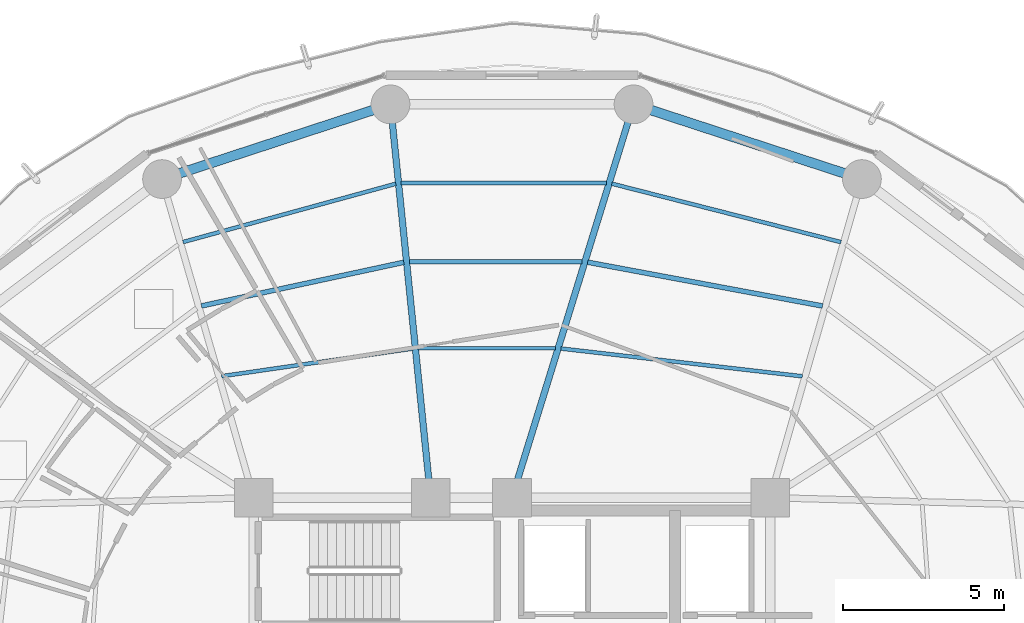
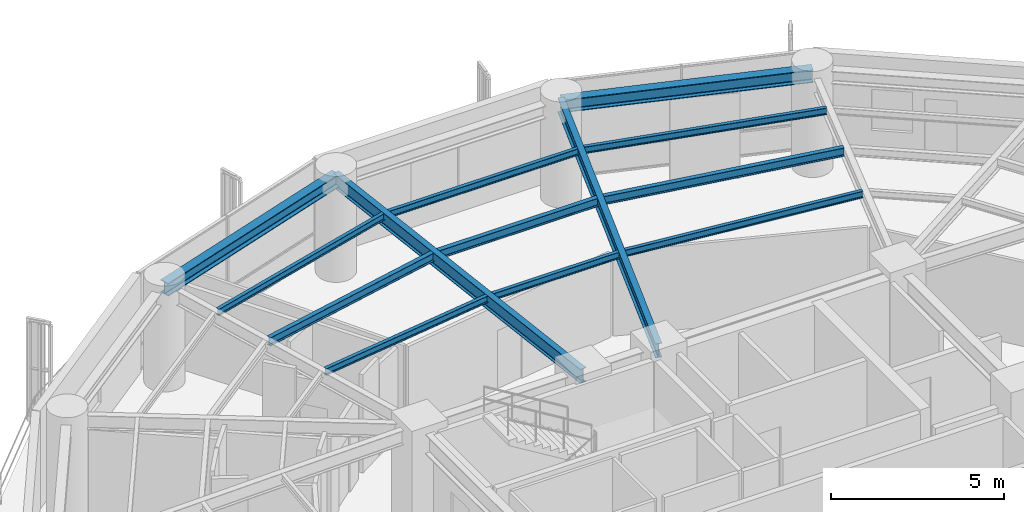
# One storey, part 17 of 27: 13 beams.
"""IFC4 building model written with IfcOpenShell, lengths in metres."""

import ifcopenshell
import ifcopenshell.guid

model = None  # the IFC model being written
_history = None  # IfcOwnerHistory: only IFC2X3 demands one
_inside = {}  # id of a spatial element -> (the spatial element, [elements in it])
_under = {}  # id of a project, library or spatial element -> (it, [spatial elements below it])
_declared = {}  # id of a project -> (the project, [libraries it declares])
_typed = {}  # id of a type object -> (the type object, [elements of that type])
_made_of = {}  # id of a material, layer set ... -> (it, [elements and type objects made of it])


def new_model(schema):
    """Start an empty IFC model of exactly this schema.

    Asked for "IFC4X3", IfcOpenShell would pick the latest addendum, in which some entities
    have other attributes; the version numbers below select the first issue.
    IFC2X3 requires an IfcOwnerHistory on every rooted entity: one is made here for all.
    """
    global model, _history
    if schema == "IFC4X3":
        model = ifcopenshell.file(schema_version=(4, 3, 0, 0))
    else:
        model = ifcopenshell.file(schema=schema)
    _inside.clear()
    _under.clear()
    _declared.clear()
    _typed.clear()
    _made_of.clear()
    _history = None
    if model.schema == "IFC2X3":
        org = make("IfcOrganization", Name="unknown")
        user = make(
            "IfcPersonAndOrganization",
            ThePerson=make("IfcPerson", FamilyName="unknown"),
            TheOrganization=org,
        )
        app = make(
            "IfcApplication",
            ApplicationDeveloper=org,
            Version="unknown",
            ApplicationFullName="unknown",
            ApplicationIdentifier="unknown",
        )
        _history = make(
            "IfcOwnerHistory",
            OwningUser=user,
            OwningApplication=app,
            ChangeAction="ADDED",
            CreationDate=0,
        )
    return model


def make(cls, **values):
    """One entity of the class cls with the attributes given. An attribute that is None is left unset."""
    return model.create_entity(
        cls, **{name: value for name, value in values.items() if value is not None}
    )


def rooted(cls, **values):
    """An entity with a GlobalId (a new one), such as an element, a storey or a relation."""
    return make(cls, GlobalId=ifcopenshell.guid.new(), OwnerHistory=_history, **values)


def si_unit(unit_type, name, prefix=None):
    """IfcSIUnit, for example si_unit("LENGTHUNIT", "METRE", prefix="MILLI")."""
    return make("IfcSIUnit", UnitType=unit_type, Prefix=prefix, Name=name)


def assignment(units):
    """IfcUnitAssignment: the units of a project."""
    return None if units is None else make("IfcUnitAssignment", Units=units)


def point(xyz):
    """IfcCartesianPoint."""
    return None if xyz is None else make("IfcCartesianPoint", Coordinates=xyz)


def direction(xyz):
    """IfcDirection."""
    return None if xyz is None else make("IfcDirection", DirectionRatios=xyz)


def frame(location, z_axis=None, x_axis=None):
    """IfcAxis2Placement3D, a coordinate frame: its origin and axes. An axis left out is left unset."""
    return make(
        "IfcAxis2Placement3D",
        Location=point(location),
        Axis=direction(z_axis),
        RefDirection=direction(x_axis),
    )


def frame_2d(location, x_axis=None):
    """IfcAxis2Placement2D, a coordinate frame in the plane: its origin and x axis."""
    return make(
        "IfcAxis2Placement2D", Location=point(location), RefDirection=direction(x_axis)
    )


def origin():
    """The frame at (0, 0, 0) with its axes left unset."""
    return frame((0.0, 0.0, 0.0))


def origin_2d():
    """The frame at (0, 0) in the plane with its x axis left unset."""
    return frame_2d((0.0, 0.0))


def place(relative_to, where):
    """IfcLocalPlacement: puts the frame where relative to a parent placement (None: the world)."""
    return make(
        "IfcLocalPlacement", PlacementRelTo=relative_to, RelativePlacement=where
    )


def context(
    kind, dimensions, precision=None, world=None, true_north=None, identifier=None
):
    """IfcGeometricRepresentationContext, for example the 3D "Model" context."""
    return make(
        "IfcGeometricRepresentationContext",
        ContextIdentifier=identifier,
        ContextType=kind,
        CoordinateSpaceDimension=dimensions,
        Precision=precision,
        WorldCoordinateSystem=world,
        TrueNorth=true_north,
    )


def subcontext(parent, identifier, kind, view, scale=None):
    """IfcGeometricRepresentationSubContext, for example "Body" below "Model"."""
    return make(
        "IfcGeometricRepresentationSubContext",
        ContextIdentifier=identifier,
        ContextType=kind,
        ParentContext=parent,
        TargetScale=scale,
        TargetView=view,
    )


def project(units=None, contexts=None):
    """IfcProject with its units and contexts."""
    return rooted(
        "IfcProject",
        Name="project",
        RepresentationContexts=contexts,
        UnitsInContext=assignment(units),
    )


def spatial(cls, under=None, at=None, **own):
    """A site, building, storey or space (cls), placed at a placement, below another one or the project."""
    s = rooted(cls, ObjectPlacement=at, **own)
    if under is not None:
        _under.setdefault(under.id(), (under, []))[1].append(s)
    return s


def profile(cls, at=None, kind="AREA", **sizes):
    """A parametric profile (cls). Its sizes go by their IFC names, for example OverallWidth=200.0."""
    return make(cls, ProfileType=kind, Position=at, **sizes)


def i_section(**sizes):
    """IfcIShapeProfileDef."""
    return profile("IfcIShapeProfileDef", **sizes)


def extrude(swept, where, along, depth):
    """IfcExtrudedAreaSolid: the profile swept, set in the frame where, extruded along a direction by depth."""
    return make(
        "IfcExtrudedAreaSolid",
        SweptArea=swept,
        Position=where,
        ExtrudedDirection=direction(along),
        Depth=depth,
    )


def shape(context_of_items, identifier, shape_type, items):
    """IfcShapeRepresentation: the items that make up one representation, for example the "Body"."""
    return make(
        "IfcShapeRepresentation",
        ContextOfItems=context_of_items,
        RepresentationIdentifier=identifier,
        RepresentationType=shape_type,
        Items=items,
    )


def material(Name=None, Category=None):
    """IfcMaterial."""
    return make("IfcMaterial", Name=Name, Category=Category)


def material_profile(
    of_material, cross_section, Name=None, Category=None, Priority=None
):
    """IfcMaterialProfile: a cross section and its material."""
    return make(
        "IfcMaterialProfile",
        Name=Name,
        Material=of_material,
        Profile=cross_section,
        Priority=Priority,
        Category=Category,
    )


def profile_set(profiles, Name=None, composite=None):
    """IfcMaterialProfileSet."""
    return make(
        "IfcMaterialProfileSet",
        Name=Name,
        MaterialProfiles=profiles,
        CompositeProfile=composite,
    )


def made_of(thing, what):
    """Note that an element or type object is made of a material, layer set ...; save() writes the relation."""
    if what is not None:
        _made_of.setdefault(what.id(), (what, []))[1].append(thing)
    return thing


def type_object(cls, material=None, **own):
    """A type object (cls), such as IfcWallType, which elements share."""
    return made_of(rooted(cls, **own), material)


def element(
    cls,
    number,
    at=None,
    inside=None,
    cuts=None,
    type_object=None,
    material=None,
    context=None,
    identifier="Body",
    shape_type=None,
    held_by="IfcProductDefinitionShape",
    body=None,
    shapes=None,
    **own,
):
    """One element of the class cls, such as IfcWall. Its Tag is "e" and its number.

    at: its placement. inside: the storey or other place that contains it. cuts: it is an
    opening in that element (IfcRelVoidsElement). A single representation is given by context,
    identifier, shape_type and body (its items); several are given by shapes. held_by: the class
    of the entity that holds the representations. save() writes the other relations.
    """
    e = rooted(cls, Tag="e%d" % number, ObjectPlacement=at, **own)
    if body is not None:
        shapes = [shape(context, identifier, shape_type, body)]
    if shapes is not None:
        e.Representation = make(held_by, Representations=shapes)
    if inside is not None:
        _inside.setdefault(inside.id(), (inside, []))[1].append(e)
    if cuts is not None:
        rooted(
            "IfcRelVoidsElement", RelatingBuildingElement=cuts, RelatedOpeningElement=e
        )
    if type_object is not None:
        _typed.setdefault(type_object.id(), (type_object, []))[1].append(e)
    return made_of(e, material)


def aggregate(whole, parts):
    """IfcRelAggregates: a whole, such as a stair, and the parts it consists of."""
    return rooted("IfcRelAggregates", RelatingObject=whole, RelatedObjects=parts)


def save(model, path):
    """Write the relations noted so far, then the file.

    IfcRelAggregates (storeys below a building ...), IfcRelContainedInSpatialStructure (elements
    in a storey), IfcRelDefinesByType, IfcRelAssociatesMaterial and IfcRelDeclares: one each for
    every whole, place, type object, material and project.
    """
    for whole, parts in _under.values():
        aggregate(whole, parts)
    for where, things in _inside.values():
        rooted(
            "IfcRelContainedInSpatialStructure",
            RelatedElements=things,
            RelatingStructure=where,
        )
    for kind, things in _typed.values():
        rooted("IfcRelDefinesByType", RelatedObjects=things, RelatingType=kind)
    for what, things in _made_of.values():
        rooted("IfcRelAssociatesMaterial", RelatedObjects=things, RelatingMaterial=what)
    for by, libraries in _declared.values():
        rooted("IfcRelDeclares", RelatingContext=by, RelatedDefinitions=libraries)
    model.write(path)


model = new_model("IFC4")

# Units and contexts
model_context = context("Model", 3, precision=1e-05, world=origin(), true_north=direction((0.0, 1.0)))
body_context = subcontext(model_context, "Body", "Model", "MODEL_VIEW")
ifc_project = project(units=[si_unit("LENGTHUNIT", "METRE"), si_unit("AREAUNIT", "SQUARE_METRE"), si_unit("VOLUMEUNIT", "CUBIC_METRE"), si_unit("PLANEANGLEUNIT", "RADIAN"), si_unit("MASSUNIT", "GRAM", prefix="KILO")], contexts=[model_context])

# Site, building, storey
site_placement = place(None, origin())
site = spatial("IfcSite", under=ifc_project, at=site_placement, CompositionType="ELEMENT")
building_placement = place(site_placement, origin())
building = spatial("IfcBuilding", under=site, at=building_placement, Name="Kelanora Arch Commons", CompositionType="ELEMENT")
storey_placement = place(building_placement, frame((0.0, 0.0, 146.85009765625)))
storey = spatial("IfcBuildingStorey", under=building, at=storey_placement, Name="L37", CompositionType="ELEMENT", Elevation=146.85009765625)

# Beams
ifc_material = material(Name="Steel S355", Category="steel")
ifc_material_profile_1 = material_profile(ifc_material, i_section(OverallWidth=0.14990234375, OverallDepth=0.300048828125, WebThickness=0.007080078125, FlangeThickness=0.0107421875, FilletRadius=0.014892578125, at=origin_2d()), Name="IPE300")
ifc_profile_set_1 = profile_set([ifc_material_profile_1], Name="Steel S355")
beam_type_1 = type_object("IfcBeamType", Name="BM-JST-01", PredefinedType="JOIST", material=ifc_profile_set_1)
beam_1_placement = place(storey_placement, frame((83.620361328125, 70.937744140625, 3.33984375), z_axis=(-0.983054256126, 0.183314837134, 0.0), x_axis=(-0.183314837134, -0.983054256126, 0.0)))
element("IfcBeam", 1, at=beam_1_placement, inside=storey, type_object=beam_type_1, Name="Secondary Chord Joist BJB-06 L37", PredefinedType="JOIST", context=body_context, shape_type="SweptSolid", body=[
    extrude(i_section(OverallWidth=0.14990234375, OverallDepth=0.300048828125, WebThickness=0.007080078125, FlangeThickness=0.0107421875, FilletRadius=0.014892578125, at=origin_2d()), origin(), (0.0, 0.0, 1.0), 7.403564453125),
])
beam_2_placement = place(storey_placement, frame((76.173828125, 72.310546875, 3.33984375), z_axis=(-1.0, 0.0, 0.0), x_axis=(0.0, -1.0, 0.0)))
element("IfcBeam", 2, at=beam_2_placement, inside=storey, type_object=beam_type_1, Name="Secondary Chord Joist BJB-08 L37", PredefinedType="JOIST", context=body_context, shape_type="SweptSolid", body=[
    extrude(i_section(OverallWidth=0.14990234375, OverallDepth=0.300048828125, WebThickness=0.007080078125, FlangeThickness=0.0107421875, FilletRadius=0.014892578125, at=origin_2d()), origin(), (0.0, 0.0, 1.0), 5.355712890625),
])
beam_3_placement = place(storey_placement, frame((70.650146484375, 72.29248046875, 3.33984375), z_axis=(-0.977521966827, -0.210833594029, 0.0), x_axis=(0.210833594029, -0.977521966827, 0.0)))
element("IfcBeam", 3, at=beam_3_placement, inside=storey, type_object=beam_type_1, Name="Secondary Chord Joist BJB-10 L37", PredefinedType="JOIST", context=body_context, shape_type="SweptSolid", body=[
    extrude(i_section(OverallWidth=0.14990234375, OverallDepth=0.300048828125, WebThickness=0.007080078125, FlangeThickness=0.0107421875, FilletRadius=0.014892578125, at=origin_2d()), origin(), (0.0, 0.0, 1.0), 6.415283203125),
])
ifc_material_profile_2 = material_profile(ifc_material, i_section(OverallWidth=0.1201171875, OverallDepth=0.239990234375, WebThickness=0.006103515625, FlangeThickness=0.009765625, FilletRadius=0.014892578125, at=origin_2d()), Name="IPE240")
ifc_profile_set_2 = profile_set([ifc_material_profile_2], Name="Steel S355")
beam_type_2 = type_object("IfcBeamType", Name="BM-JST-02", PredefinedType="JOIST", material=ifc_profile_set_2)
beam_4_placement = place(storey_placement, frame((82.994873046875, 68.760498046875, 3.369873046875), z_axis=(-0.993457414184, 0.114203179475, 0.0), x_axis=(-0.114203179475, -0.993457414184, 0.0)))
element("IfcBeam", 4, at=beam_4_placement, inside=storey, type_object=beam_type_2, Name="Secondary Chord Joist BJA-06 L37", PredefinedType="JOIST", context=body_context, shape_type="SweptSolid", body=[
    extrude(i_section(OverallWidth=0.1201171875, OverallDepth=0.239990234375, WebThickness=0.006103515625, FlangeThickness=0.009765625, FilletRadius=0.014892578125, at=origin_2d()), origin(), (0.0, 0.0, 1.0), 7.529296875),
])
beam_5_placement = place(storey_placement, frame((84.189697265625, 72.917236328125, 3.369873046875), z_axis=(-0.96900232943, 0.247051584815, 0.0), x_axis=(-0.247051584815, -0.96900232943, 0.0)))
element("IfcBeam", 5, at=beam_5_placement, inside=storey, type_object=beam_type_2, Name="Secondary Chord Joist BJC-06 L37", PredefinedType="JOIST", context=body_context, shape_type="SweptSolid", body=[
    extrude(i_section(OverallWidth=0.1201171875, OverallDepth=0.239990234375, WebThickness=0.006103515625, FlangeThickness=0.009765625, FilletRadius=0.014892578125, at=origin_2d()), origin(), (0.0, 0.0, 1.0), 7.32275390625),
])
beam_6_placement = place(storey_placement, frame((75.345703125, 69.6298828125, 3.369873046875), z_axis=(-1.0, 0.0, 0.0), x_axis=(0.0, -1.0, 0.0)))
element("IfcBeam", 6, at=beam_6_placement, inside=storey, type_object=beam_type_2, Name="Secondary Chord Joist BJA-08 L37", PredefinedType="JOIST", context=body_context, shape_type="SweptSolid", body=[
    extrude(i_section(OverallWidth=0.1201171875, OverallDepth=0.239990234375, WebThickness=0.006103515625, FlangeThickness=0.009765625, FilletRadius=0.014892578125, at=origin_2d()), origin(), (0.0, 0.0, 1.0), 4.253662109375),
])
beam_7_placement = place(storey_placement, frame((76.9267578125, 74.747314453125, 3.369873046875), z_axis=(-1.0, 0.0, 0.0), x_axis=(0.0, -1.0, 0.0)))
element("IfcBeam", 7, at=beam_7_placement, inside=storey, type_object=beam_type_2, Name="Secondary Chord Joist BJC-08 L37", PredefinedType="JOIST", context=body_context, shape_type="SweptSolid", body=[
    extrude(i_section(OverallWidth=0.1201171875, OverallDepth=0.239990234375, WebThickness=0.006103515625, FlangeThickness=0.009765625, FilletRadius=0.014892578125, at=origin_2d()), origin(), (0.0, 0.0, 1.0), 6.357666015625),
])
beam_8_placement = place(storey_placement, frame((70.9228515625, 69.617919921875, 3.369873046875), z_axis=(-0.989718726051, -0.143027421508, 0.0), x_axis=(0.143027421508, -0.989718726051, 0.0)))
element("IfcBeam", 8, at=beam_8_placement, inside=storey, type_object=beam_type_2, Name="Secondary Chord Joist BJA-10 L37", PredefinedType="JOIST", context=body_context, shape_type="SweptSolid", body=[
    extrude(i_section(OverallWidth=0.1201171875, OverallDepth=0.239990234375, WebThickness=0.006103515625, FlangeThickness=0.009765625, FilletRadius=0.014892578125, at=origin_2d()), origin(), (0.0, 0.0, 1.0), 5.9794921875),
])
beam_9_placement = place(storey_placement, frame((70.40234375, 74.724853515625, 3.369873046875), z_axis=(-0.964456541131, -0.264241518824, 0.0), x_axis=(0.264241518824, -0.964456541131, 0.0)))
element("IfcBeam", 9, at=beam_9_placement, inside=storey, type_object=beam_type_2, Name="Secondary Chord Joist BJC-10 L37", PredefinedType="JOIST", context=body_context, shape_type="SweptSolid", body=[
    extrude(i_section(OverallWidth=0.1201171875, OverallDepth=0.239990234375, WebThickness=0.006103515625, FlangeThickness=0.009765625, FilletRadius=0.014892578125, at=origin_2d()), origin(), (0.0, 0.0, 1.0), 6.835205078125),
])
ifc_material_profile_3 = material_profile(ifc_material, i_section(OverallWidth=0.199951171875, OverallDepth=0.5, WebThickness=0.01025390625, FlangeThickness=0.01611328125, FilletRadius=0.02099609375, at=origin_2d()), Name="IPE500")
ifc_profile_set_3 = profile_set([ifc_material_profile_3], Name="Steel S355")
beam_type_3 = type_object("IfcBeamType", Name="BM-RAD-Z3", PredefinedType="BEAM", material=ifc_profile_set_3)
beam_10_placement = place(storey_placement, frame((74.0, 65.0, 3.239990234375), z_axis=(0.295210315095, 0.955432294755, 0.0), x_axis=(-0.955432294755, 0.295210315095, 0.0)))
element("IfcBeam", 10, at=beam_10_placement, inside=storey, type_object=beam_type_3, Name="Radial Floor Girder BR-08 L37", PredefinedType="BEAM", context=body_context, shape_type="SweptSolid", body=[
    extrude(i_section(OverallWidth=0.199951171875, OverallDepth=0.5, WebThickness=0.01025390625, FlangeThickness=0.01611328125, FilletRadius=0.02099609375, at=origin_2d()), origin(), (0.0, 0.0, 1.0), 12.75244140625),
])
beam_11_placement = place(storey_placement, frame((71.47998046875, 65.0, 3.239990234375), z_axis=(-0.101623200789, 0.994822961668, 0.0), x_axis=(-0.994822961668, -0.101623200789, 0.0)))
element("IfcBeam", 11, at=beam_11_placement, inside=storey, type_object=beam_type_3, Name="Radial Floor Girder BR-10 L37", PredefinedType="BEAM", context=body_context, shape_type="SweptSolid", body=[
    extrude(i_section(OverallWidth=0.199951171875, OverallDepth=0.5, WebThickness=0.01025390625, FlangeThickness=0.01611328125, FilletRadius=0.02099609375, at=origin_2d()), origin(), (0.0, 0.0, 1.0), 12.24755859375),
])
ifc_material_profile_4 = material_profile(ifc_material, i_section(OverallWidth=0.300048828125, OverallDepth=0.449951171875, WebThickness=0.013916015625, FlangeThickness=0.02587890625, FilletRadius=0.027099609375, at=origin_2d()), Name="HEB450")
ifc_profile_set_4 = profile_set([ifc_material_profile_4], Name="Steel S355")
beam_type_4 = type_object("IfcBeamType", Name="BM-SPN-Z3", PredefinedType="SPANDREL", material=ifc_profile_set_4)
for number, where, z_axis, x_axis, name in (
    (12, (84.840087890625, 74.8701171875, 3.264892578125), (-0.950461975786, 0.310840847676, 0.0), (-0.310840847676, -0.950461975786, 0.0), "Perimeter Spandrel Beam BS-06 L37"),
    (13, (70.2353515625, 77.18408203125, 3.264892578125), (-0.950461975786, -0.310840847676, 0.0), (0.310840847676, -0.950461975786, 0.0), "Perimeter Spandrel Beam BS-10 L37"),
):
    element("IfcBeam", number, at=place(storey_placement, frame(where, z_axis=z_axis, x_axis=x_axis)), inside=storey, type_object=beam_type_4, Name=name, PredefinedType="SPANDREL", context=body_context, shape_type="SweptSolid", body=[
        extrude(i_section(OverallWidth=0.300048828125, OverallDepth=0.449951171875, WebThickness=0.013916015625, FlangeThickness=0.02587890625, FilletRadius=0.027099609375, at=origin_2d()), origin(), (0.0, 0.0, 1.0), 7.444091796875),
    ])

save(model, "model.ifc")
